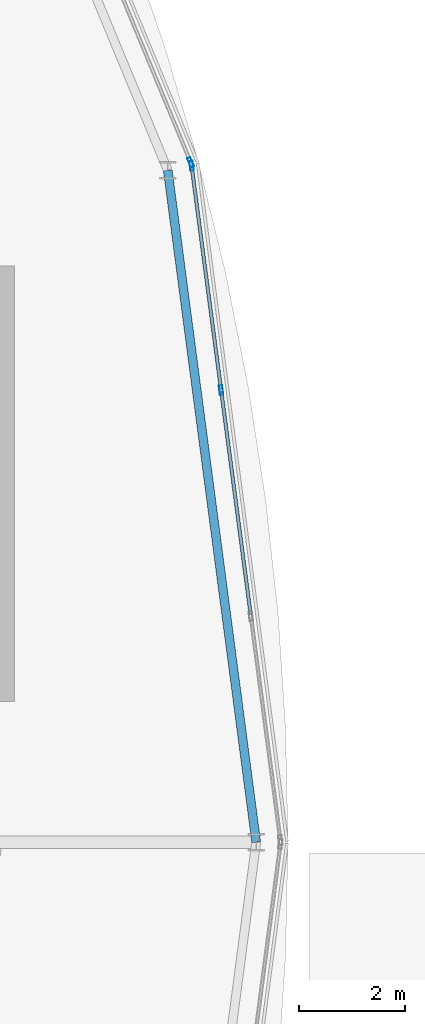
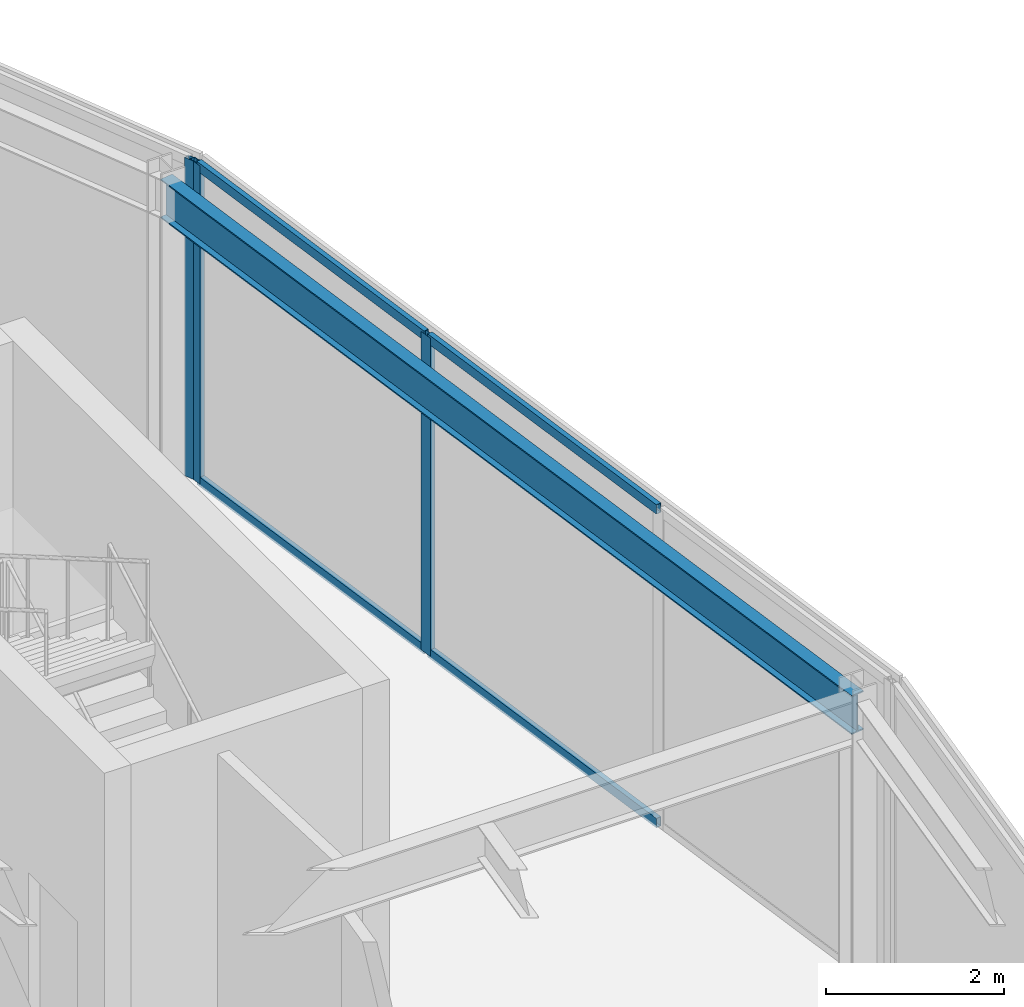
# One storey, part 87 of 133: 7 members, 1 beam, 2 elements without a shape of their own.
"""IFC4 building model written with IfcOpenShell, lengths in metres."""

import ifcopenshell
import ifcopenshell.guid

model = None  # the IFC model being written
_history = None  # IfcOwnerHistory: only IFC2X3 demands one
_inside = {}  # id of a spatial element -> (the spatial element, [elements in it])
_under = {}  # id of a project, library or spatial element -> (it, [spatial elements below it])
_declared = {}  # id of a project -> (the project, [libraries it declares])
_typed = {}  # id of a type object -> (the type object, [elements of that type])
_made_of = {}  # id of a material, layer set ... -> (it, [elements and type objects made of it])


def new_model(schema):
    """Start an empty IFC model of exactly this schema.

    Asked for "IFC4X3", IfcOpenShell would pick the latest addendum, in which some entities
    have other attributes; the version numbers below select the first issue.
    IFC2X3 requires an IfcOwnerHistory on every rooted entity: one is made here for all.
    """
    global model, _history
    if schema == "IFC4X3":
        model = ifcopenshell.file(schema_version=(4, 3, 0, 0))
    else:
        model = ifcopenshell.file(schema=schema)
    _inside.clear()
    _under.clear()
    _declared.clear()
    _typed.clear()
    _made_of.clear()
    _history = None
    if model.schema == "IFC2X3":
        org = make("IfcOrganization", Name="unknown")
        user = make(
            "IfcPersonAndOrganization",
            ThePerson=make("IfcPerson", FamilyName="unknown"),
            TheOrganization=org,
        )
        app = make(
            "IfcApplication",
            ApplicationDeveloper=org,
            Version="unknown",
            ApplicationFullName="unknown",
            ApplicationIdentifier="unknown",
        )
        _history = make(
            "IfcOwnerHistory",
            OwningUser=user,
            OwningApplication=app,
            ChangeAction="ADDED",
            CreationDate=0,
        )
    return model


def make(cls, **values):
    """One entity of the class cls with the attributes given. An attribute that is None is left unset."""
    return model.create_entity(
        cls, **{name: value for name, value in values.items() if value is not None}
    )


def rooted(cls, **values):
    """An entity with a GlobalId (a new one), such as an element, a storey or a relation."""
    return make(cls, GlobalId=ifcopenshell.guid.new(), OwnerHistory=_history, **values)


def si_unit(unit_type, name, prefix=None):
    """IfcSIUnit, for example si_unit("LENGTHUNIT", "METRE", prefix="MILLI")."""
    return make("IfcSIUnit", UnitType=unit_type, Prefix=prefix, Name=name)


def assignment(units):
    """IfcUnitAssignment: the units of a project."""
    return None if units is None else make("IfcUnitAssignment", Units=units)


def point(xyz):
    """IfcCartesianPoint."""
    return None if xyz is None else make("IfcCartesianPoint", Coordinates=xyz)


def direction(xyz):
    """IfcDirection."""
    return None if xyz is None else make("IfcDirection", DirectionRatios=xyz)


def frame(location, z_axis=None, x_axis=None):
    """IfcAxis2Placement3D, a coordinate frame: its origin and axes. An axis left out is left unset."""
    return make(
        "IfcAxis2Placement3D",
        Location=point(location),
        Axis=direction(z_axis),
        RefDirection=direction(x_axis),
    )


def frame_2d(location, x_axis=None):
    """IfcAxis2Placement2D, a coordinate frame in the plane: its origin and x axis."""
    return make(
        "IfcAxis2Placement2D", Location=point(location), RefDirection=direction(x_axis)
    )


def origin():
    """The frame at (0, 0, 0) with its axes left unset."""
    return frame((0.0, 0.0, 0.0))


def origin_2d():
    """The frame at (0, 0) in the plane with its x axis left unset."""
    return frame_2d((0.0, 0.0))


def place(relative_to, where):
    """IfcLocalPlacement: puts the frame where relative to a parent placement (None: the world)."""
    return make(
        "IfcLocalPlacement", PlacementRelTo=relative_to, RelativePlacement=where
    )


def context(
    kind, dimensions, precision=None, world=None, true_north=None, identifier=None
):
    """IfcGeometricRepresentationContext, for example the 3D "Model" context."""
    return make(
        "IfcGeometricRepresentationContext",
        ContextIdentifier=identifier,
        ContextType=kind,
        CoordinateSpaceDimension=dimensions,
        Precision=precision,
        WorldCoordinateSystem=world,
        TrueNorth=true_north,
    )


def subcontext(parent, identifier, kind, view, scale=None):
    """IfcGeometricRepresentationSubContext, for example "Body" below "Model"."""
    return make(
        "IfcGeometricRepresentationSubContext",
        ContextIdentifier=identifier,
        ContextType=kind,
        ParentContext=parent,
        TargetScale=scale,
        TargetView=view,
    )


def project(units=None, contexts=None):
    """IfcProject with its units and contexts."""
    return rooted(
        "IfcProject",
        Name="project",
        RepresentationContexts=contexts,
        UnitsInContext=assignment(units),
    )


def spatial(cls, under=None, at=None, **own):
    """A site, building, storey or space (cls), placed at a placement, below another one or the project."""
    s = rooted(cls, ObjectPlacement=at, **own)
    if under is not None:
        _under.setdefault(under.id(), (under, []))[1].append(s)
    return s


def profile(cls, at=None, kind="AREA", **sizes):
    """A parametric profile (cls). Its sizes go by their IFC names, for example OverallWidth=200.0."""
    return make(cls, ProfileType=kind, Position=at, **sizes)


def hollow_rectangle(**sizes):
    """IfcRectangleHollowProfileDef."""
    return profile("IfcRectangleHollowProfileDef", **sizes)


def i_section(**sizes):
    """IfcIShapeProfileDef."""
    return profile("IfcIShapeProfileDef", **sizes)


def extrude(swept, where, along, depth):
    """IfcExtrudedAreaSolid: the profile swept, set in the frame where, extruded along a direction by depth."""
    return make(
        "IfcExtrudedAreaSolid",
        SweptArea=swept,
        Position=where,
        ExtrudedDirection=direction(along),
        Depth=depth,
    )


def shape(context_of_items, identifier, shape_type, items):
    """IfcShapeRepresentation: the items that make up one representation, for example the "Body"."""
    return make(
        "IfcShapeRepresentation",
        ContextOfItems=context_of_items,
        RepresentationIdentifier=identifier,
        RepresentationType=shape_type,
        Items=items,
    )


def material(Name=None, Category=None):
    """IfcMaterial."""
    return make("IfcMaterial", Name=Name, Category=Category)


def material_profile(
    of_material, cross_section, Name=None, Category=None, Priority=None
):
    """IfcMaterialProfile: a cross section and its material."""
    return make(
        "IfcMaterialProfile",
        Name=Name,
        Material=of_material,
        Profile=cross_section,
        Priority=Priority,
        Category=Category,
    )


def profile_set(profiles, Name=None, composite=None):
    """IfcMaterialProfileSet."""
    return make(
        "IfcMaterialProfileSet",
        Name=Name,
        MaterialProfiles=profiles,
        CompositeProfile=composite,
    )


def made_of(thing, what):
    """Note that an element or type object is made of a material, layer set ...; save() writes the relation."""
    if what is not None:
        _made_of.setdefault(what.id(), (what, []))[1].append(thing)
    return thing


def type_object(cls, material=None, **own):
    """A type object (cls), such as IfcWallType, which elements share."""
    return made_of(rooted(cls, **own), material)


def element(
    cls,
    number,
    at=None,
    inside=None,
    cuts=None,
    type_object=None,
    material=None,
    context=None,
    identifier="Body",
    shape_type=None,
    held_by="IfcProductDefinitionShape",
    body=None,
    shapes=None,
    **own,
):
    """One element of the class cls, such as IfcWall. Its Tag is "e" and its number.

    at: its placement. inside: the storey or other place that contains it. cuts: it is an
    opening in that element (IfcRelVoidsElement). A single representation is given by context,
    identifier, shape_type and body (its items); several are given by shapes. held_by: the class
    of the entity that holds the representations. save() writes the other relations.
    """
    e = rooted(cls, Tag="e%d" % number, ObjectPlacement=at, **own)
    if body is not None:
        shapes = [shape(context, identifier, shape_type, body)]
    if shapes is not None:
        e.Representation = make(held_by, Representations=shapes)
    if inside is not None:
        _inside.setdefault(inside.id(), (inside, []))[1].append(e)
    if cuts is not None:
        rooted(
            "IfcRelVoidsElement", RelatingBuildingElement=cuts, RelatedOpeningElement=e
        )
    if type_object is not None:
        _typed.setdefault(type_object.id(), (type_object, []))[1].append(e)
    return made_of(e, material)


def aggregate(whole, parts):
    """IfcRelAggregates: a whole, such as a stair, and the parts it consists of."""
    return rooted("IfcRelAggregates", RelatingObject=whole, RelatedObjects=parts)


def save(model, path):
    """Write the relations noted so far, then the file.

    IfcRelAggregates (storeys below a building ...), IfcRelContainedInSpatialStructure (elements
    in a storey), IfcRelDefinesByType, IfcRelAssociatesMaterial and IfcRelDeclares: one each for
    every whole, place, type object, material and project.
    """
    for whole, parts in _under.values():
        aggregate(whole, parts)
    for where, things in _inside.values():
        rooted(
            "IfcRelContainedInSpatialStructure",
            RelatedElements=things,
            RelatingStructure=where,
        )
    for kind, things in _typed.values():
        rooted("IfcRelDefinesByType", RelatedObjects=things, RelatingType=kind)
    for what, things in _made_of.values():
        rooted("IfcRelAssociatesMaterial", RelatedObjects=things, RelatingMaterial=what)
    for by, libraries in _declared.values():
        rooted("IfcRelDeclares", RelatingContext=by, RelatedDefinitions=libraries)
    model.write(path)


model = new_model("IFC4")

# Units and contexts
model_context = context("Model", 3, precision=1e-05, world=origin(), true_north=direction((0.0, 1.0)))
body_context = subcontext(model_context, "Body", "Model", "MODEL_VIEW")
ifc_project = project(units=[si_unit("LENGTHUNIT", "METRE"), si_unit("AREAUNIT", "SQUARE_METRE"), si_unit("VOLUMEUNIT", "CUBIC_METRE"), si_unit("PLANEANGLEUNIT", "RADIAN"), si_unit("MASSUNIT", "GRAM", prefix="KILO")], contexts=[model_context])

# Site, building, storey
site_placement = place(None, origin())
site = spatial("IfcSite", under=ifc_project, at=site_placement, CompositionType="ELEMENT")
building_placement = place(site_placement, origin())
building = spatial("IfcBuilding", under=site, at=building_placement, Name="Almandine Court Research Institute", CompositionType="ELEMENT")
storey_placement = place(building_placement, frame((0.0, 0.0, 9.800048828125)))
storey = spatial("IfcBuildingStorey", under=building, at=storey_placement, Name="L02", CompositionType="ELEMENT", Elevation=9.800048828125)

# Beam
ifc_material_1 = material(Name="Steel ASTM A992 Grade 50", Category="steel")
ifc_material_profile_1 = material_profile(ifc_material_1, i_section(OverallWidth=0.166015625, OverallDepth=0.534912109375, WebThickness=0.010009765625, FlangeThickness=0.01708984375, at=origin_2d()), Name="W530x85")
ifc_profile_set_1 = profile_set([ifc_material_profile_1], Name="Steel ASTM A992 Grade 50")
beam_type = type_object("IfcBeamType", Name="Beam-G-05-E", PredefinedType="SPANDREL", material=ifc_profile_set_1)
beam_placement = place(storey_placement, frame((135.89990234375, 56.0, 4.10205078125), z_axis=(-0.130512396599, 0.991446677504, 0.0), x_axis=(-0.991446677504, -0.130512396599, 0.0)))
element("IfcBeam", 1, at=beam_placement, inside=storey, type_object=beam_type, Name="L02 Drum OUT Ring Beam 00", PredefinedType="SPANDREL", context=body_context, shape_type="SweptSolid", body=[
    extrude(i_section(OverallWidth=0.166015625, OverallDepth=0.534912109375, WebThickness=0.010009765625, FlangeThickness=0.01708984375, at=origin_2d()), origin(), (0.0, 0.0, 1.0), 12.76513671875),
])

# Curtain wall, members
ifc_material_2 = material(Name="Unitised Curtain Wall Framing and Solar Glazing", Category="glass")
curtain_wall_type = type_object("IfcCurtainWallType", Name="CW-CWJ-19", PredefinedType="USERDEFINED", material=ifc_material_2)
curtain_wall_1_placement = place(storey_placement, origin())
curtain_wall_1 = element("IfcCurtainWall", 2, at=curtain_wall_1_placement, inside=storey, type_object=curtain_wall_type, Name="L02 Stacked-Ring Drum Outer Solar Jali Screen 00", ObjectType="SOLAR JALI SCREEN", PredefinedType="USERDEFINED")
ifc_material_3 = material(Name="Anodised Aluminium AW-6063-T6", Category="aluminium")
ifc_material_profile_2 = material_profile(ifc_material_3, hollow_rectangle(XDim=0.06494140625, YDim=0.179931640625, WallThickness=0.00390625, at=origin_2d()), Name="ALU RHS 65x180x4")
ifc_profile_set_2 = profile_set([ifc_material_profile_2], Name="Anodised Aluminium AW-6063-T6")
member_type_1 = type_object("IfcMemberType", Name="CWMul-65x180", PredefinedType="MULLION", material=ifc_profile_set_2)
member_1_placement = place(storey_placement, frame((134.683349609375, 68.73876953125, 0.0), z_axis=(0.0, 0.0, 1.0), x_axis=(0.991442926098, 0.130540891259, 0.0)))
member_1 = element("IfcMember", 3, at=member_1_placement, type_object=member_type_1, Name="CWJ-19 mullion 1", PredefinedType="MULLION", context=body_context, shape_type="SweptSolid", body=[
    extrude(hollow_rectangle(XDim=0.06494140625, YDim=0.179931640625, WallThickness=0.00390625, at=origin_2d()), origin(), (0.0, 0.0, 1.0), 4.369873046875),
])
member_2_placement = place(storey_placement, frame((135.2392578125, 64.515380859375, 0.0), z_axis=(0.0, 0.0, 1.0), x_axis=(0.991442926098, 0.130540891259, 0.0)))
member_2 = element("IfcMember", 4, at=member_2_placement, type_object=member_type_1, Name="CWJ-19 mullion 2", PredefinedType="MULLION", context=body_context, shape_type="SweptSolid", body=[
    extrude(hollow_rectangle(XDim=0.06494140625, YDim=0.179931640625, WallThickness=0.00390625, at=origin_2d()), origin(), (0.0, 0.0, 1.0), 4.369873046875),
])

# Curtain wall, member
curtain_wall_2_placement = place(storey_placement, origin())
curtain_wall_2 = element("IfcCurtainWall", 5, at=curtain_wall_2_placement, inside=storey, type_object=curtain_wall_type, Name="L02 Stacked-Ring Drum Outer Solar Jali Screen 01", ObjectType="SOLAR JALI SCREEN", PredefinedType="USERDEFINED")
member_3_placement = place(storey_placement, frame((134.66455078125, 68.80908203125, 0.0), z_axis=(0.0, 0.0, 1.0), x_axis=(0.923888124321, 0.382662689242, 0.0)))
member_3 = element("IfcMember", 6, at=member_3_placement, type_object=member_type_1, Name="CWJ-19 mullion 4", PredefinedType="MULLION", context=body_context, shape_type="SweptSolid", body=[
    extrude(hollow_rectangle(XDim=0.06494140625, YDim=0.179931640625, WallThickness=0.00390625, at=origin_2d()), origin(), (0.0, 0.0, 1.0), 4.369873046875),
])
aggregate(curtain_wall_2, [member_3])

# Member
ifc_material_profile_3 = material_profile(ifc_material_3, hollow_rectangle(XDim=0.06494140625, YDim=0.1298828125, WallThickness=0.00390625, at=origin_2d()), Name="ALU RHS 65x130x4")
ifc_profile_set_3 = profile_set([ifc_material_profile_3], Name="Anodised Aluminium AW-6063-T6")
member_type_2 = type_object("IfcMemberType", Name="CWTrn-65x130", PredefinedType="NOTDEFINED", material=ifc_profile_set_3)
member_4_placement = place(storey_placement, frame((134.6875, 68.70654296875, 0.032470703125), z_axis=(0.130543337873, -0.991442603955, 0.0), x_axis=(0.991442603955, 0.130543337873, 0.0)))
member_4 = element("IfcMember", 7, at=member_4_placement, type_object=member_type_2, Name="CWJ-19 transom 1.1", ObjectType="TRANSOM", PredefinedType="USERDEFINED", context=body_context, shape_type="SweptSolid", body=[
    extrude(hollow_rectangle(XDim=0.06494140625, YDim=0.1298828125, WallThickness=0.00390625, at=origin_2d()), origin(), (0.0, 0.0, 1.0), 4.19482421875),
])

member_5_placement = place(storey_placement, frame((134.6875, 68.70654296875, 4.33740234375), z_axis=(0.130543337873, -0.991442603955, 0.0), x_axis=(0.991442603955, 0.130543337873, 0.0)))
member_5 = element("IfcMember", 8, at=member_5_placement, type_object=member_type_2, Name="CWJ-19 transom 1.2", ObjectType="TRANSOM", PredefinedType="USERDEFINED", context=body_context, shape_type="SweptSolid", body=[
    extrude(hollow_rectangle(XDim=0.06494140625, YDim=0.1298828125, WallThickness=0.00390625, at=origin_2d()), origin(), (0.0, 0.0, 1.0), 4.19482421875),
])

member_6_placement = place(storey_placement, frame((135.24365234375, 64.483154296875, 0.032470703125), z_axis=(0.130521740045, -0.991445447504, 0.0), x_axis=(0.991445447504, 0.130521740045, 0.0)))
member_6 = element("IfcMember", 9, at=member_6_placement, type_object=member_type_2, Name="CWJ-19 transom 2.1", ObjectType="TRANSOM", PredefinedType="USERDEFINED", context=body_context, shape_type="SweptSolid", body=[
    extrude(hollow_rectangle(XDim=0.06494140625, YDim=0.1298828125, WallThickness=0.00390625, at=origin_2d()), origin(), (0.0, 0.0, 1.0), 4.227294921875),
])

member_7_placement = place(storey_placement, frame((135.24365234375, 64.483154296875, 4.33740234375), z_axis=(0.130521740045, -0.991445447504, 0.0), x_axis=(0.991445447504, 0.130521740045, 0.0)))
member_7 = element("IfcMember", 10, at=member_7_placement, type_object=member_type_2, Name="CWJ-19 transom 2.2", ObjectType="TRANSOM", PredefinedType="USERDEFINED", context=body_context, shape_type="SweptSolid", body=[
    extrude(hollow_rectangle(XDim=0.06494140625, YDim=0.1298828125, WallThickness=0.00390625, at=origin_2d()), origin(), (0.0, 0.0, 1.0), 4.227294921875),
])

aggregate(curtain_wall_1, [member_1, member_2, member_4, member_5, member_6, member_7])

save(model, "model.ifc")
